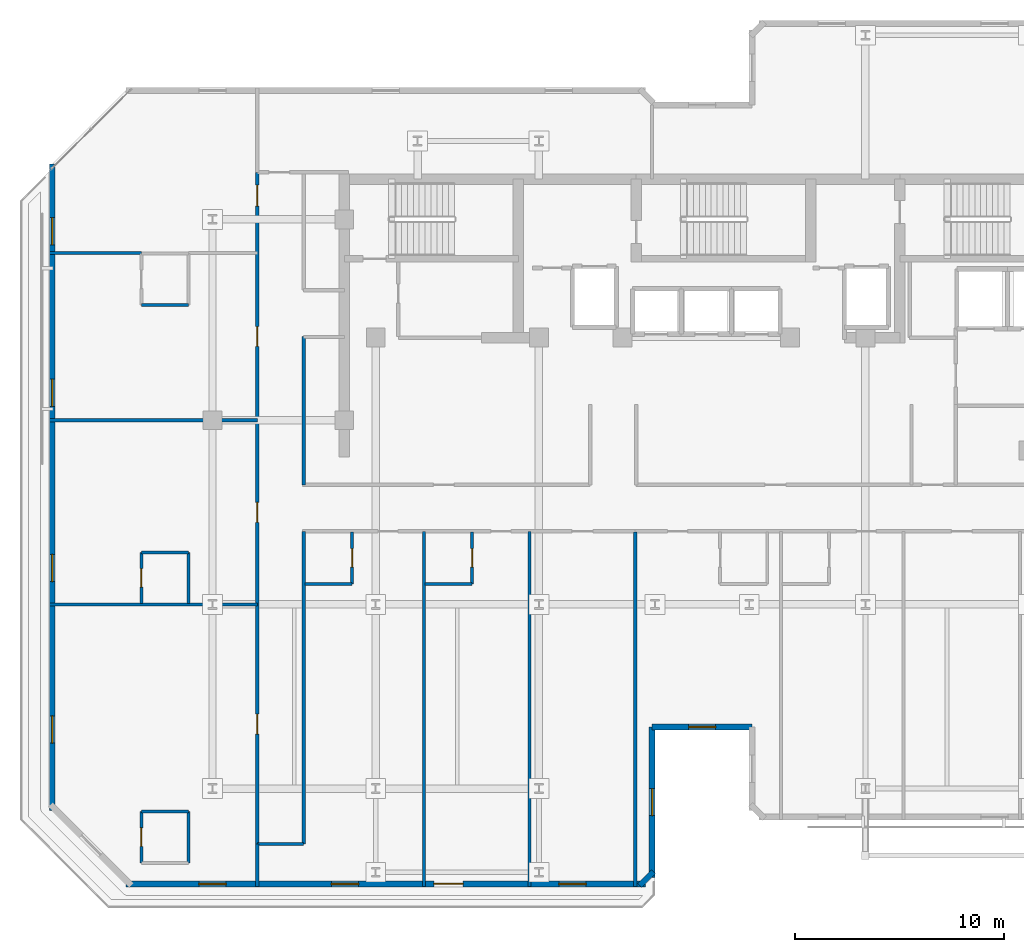
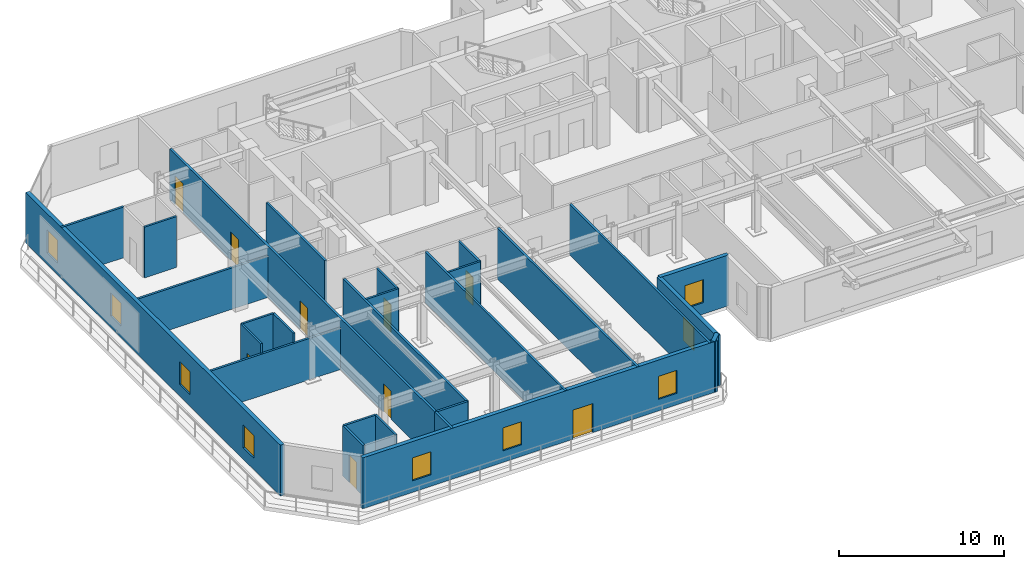
# One storey, part 4 of 13: 27 walls, 9 doors, 9 windows, 18 openings.
"""IFC4 building model written with IfcOpenShell, lengths in metres."""

from ifc_helpers import new_model, si_unit, direction, frame, frame_2d, origin, place, context, subcontext, project, spatial, rectangle, extrude, material, layer, layer_set, type_object, element, fill, save


model = new_model("IFC4")

# Units and contexts
model_context = context("Model", 3, precision=1e-05, world=origin(), true_north=direction((0.0, 1.0)))
body_context = subcontext(model_context, "Body", "Model", "MODEL_VIEW")
ifc_project = project(units=[si_unit("LENGTHUNIT", "METRE"), si_unit("AREAUNIT", "SQUARE_METRE"), si_unit("VOLUMEUNIT", "CUBIC_METRE"), si_unit("PLANEANGLEUNIT", "RADIAN"), si_unit("MASSUNIT", "GRAM", prefix="KILO")], contexts=[model_context])

# Site, building, storey
site_placement = place(None, origin())
site = spatial("IfcSite", under=ifc_project, at=site_placement, CompositionType="ELEMENT")
building_placement = place(site_placement, origin())
building = spatial("IfcBuilding", under=site, at=building_placement, Name="Kestravale Grand Hotel", CompositionType="ELEMENT")
storey_placement = place(building_placement, frame((0.0, 0.0, 245.39990234375)))
storey = spatial("IfcBuildingStorey", under=building, at=storey_placement, Name="L61", CompositionType="ELEMENT", Elevation=245.39990234375)

# Wall, openings, door, windows
ifc_material_1 = material(Name="Precast concrete f'c 45 MPa", Category="concrete")
ifc_layer_1 = layer(ifc_material_1, 0.280029296875)
ifc_layer_set_1 = layer_set([ifc_layer_1], Name="EW-PREC-280")
wall_type_1 = type_object("IfcWallType", Name="EW-PREC-280", PredefinedType="SOLIDWALL", material=ifc_layer_set_1)
wall_1_placement = place(storey_placement, frame((11.4599609375, 6.639892578125, 0.0), z_axis=(0.0, 0.0, 1.0), x_axis=(1.0, 0.0, 0.0)))
wall_1 = element("IfcWall", 1, at=wall_1_placement, inside=storey, type_object=wall_type_1, Name="L61 fluted precast facade wall 1", PredefinedType="SOLIDWALL", context=body_context, shape_type="SweptSolid", body=[
    extrude(rectangle(XDim=24.830078125, YDim=0.280029296875, at=frame_2d((12.4150390625, 0.0))), origin(), (0.0, 0.0, 1.0), 3.760009765625),
])
opening_1_placement = place(wall_1_placement, frame((14.715087890625, 0.0, 0.0)))
opening_1 = element("IfcOpeningElement", 2, at=opening_1_placement, cuts=wall_1, Name="Opening D-TERR-1400", PredefinedType="OPENING", context=body_context, shape_type="SweptSolid", body=[
    extrude(rectangle(XDim=1.39990234375, YDim=2.14990234375, at=frame_2d((0.699951171875, 1.074951171875))), frame((0.0, 0.14990234375, 0.0), z_axis=(0.0, -1.0, 0.0), x_axis=(1.0, 0.0, 0.0)), (0.0, 0.0, 1.0), 0.300048828125),
])
opening_2_placement = place(wall_1_placement, frame((3.48828125, 0.0, 0.85009765625)))
opening_2 = element("IfcOpeningElement", 3, at=opening_2_placement, cuts=wall_1, Name="Opening W-GUEST-1300", PredefinedType="OPENING", context=body_context, shape_type="SweptSolid", body=[
    extrude(rectangle(XDim=1.300048828125, YDim=1.699951171875, at=frame_2d((0.64990234375, 0.85009765625))), frame((0.0, 0.14990234375, 0.0), z_axis=(0.0, -1.0, 0.0), x_axis=(1.0, 0.0, 0.0)), (0.0, 0.0, 1.0), 0.300048828125),
])
opening_3_placement = place(wall_1_placement, frame((20.691650390625, 0.0, 0.85009765625)))
opening_3 = element("IfcOpeningElement", 4, at=opening_3_placement, cuts=wall_1, Name="Opening W-GUEST-1300", PredefinedType="OPENING", context=body_context, shape_type="SweptSolid", body=[
    extrude(rectangle(XDim=1.300048828125, YDim=1.699951171875, at=frame_2d((0.64990234375, 0.85009765625))), frame((0.0, 0.14990234375, 0.0), z_axis=(0.0, -1.0, 0.0), x_axis=(1.0, 0.0, 0.0)), (0.0, 0.0, 1.0), 0.300048828125),
])
opening_4_placement = place(wall_1_placement, frame((9.820068359375, 0.0, 0.85009765625)))
opening_4 = element("IfcOpeningElement", 5, at=opening_4_placement, cuts=wall_1, Name="Opening W-GUEST-1300", PredefinedType="OPENING", context=body_context, shape_type="SweptSolid", body=[
    extrude(rectangle(XDim=1.300048828125, YDim=1.699951171875, at=frame_2d((0.64990234375, 0.85009765625))), frame((0.0, 0.14990234375, 0.0), z_axis=(0.0, -1.0, 0.0), x_axis=(1.0, 0.0, 0.0)), (0.0, 0.0, 1.0), 0.300048828125),
])
ifc_material_2 = material(Name="Insulated glazed champagne-bronze aluminium door", Category="aluminium")
door_type_1 = type_object("IfcDoorType", Name="D-TERR-1400", OperationType="NOTDEFINED", PredefinedType="DOOR", material=ifc_material_2)
door_1_placement = place(opening_1_placement, origin())
door_1 = element("IfcDoor", 6, at=door_1_placement, inside=storey, type_object=door_type_1, Name="L61 outdoor garden terrace door", OperationType="DOUBLE_DOOR_SINGLE_SWING", OverallHeight=2.14990234375, OverallWidth=1.39990234375, PredefinedType="DOOR", context=body_context, shape_type="SweptSolid", body=[
    extrude(rectangle(XDim=1.39990234375, YDim=2.14990234375, at=frame_2d((0.699951171875, 1.074951171875))), frame((0.0, 0.02490234375, 0.0), z_axis=(0.0, -1.0, 0.0), x_axis=(1.0, 0.0, 0.0)), (0.0, 0.0, 1.0), 0.050048828125),
])
fill(opening_1, door_1)
ifc_material_3 = material(Name="Insulated low-E double glazing in aluminium frame", Category="aluminium")
window_type = type_object("IfcWindowType", Name="W-GUEST-1300", PartitioningType="SINGLE_PANEL", PredefinedType="WINDOW", material=ifc_material_3)
window_1_placement = place(opening_2_placement, origin())
window_1 = element("IfcWindow", 7, at=window_1_placement, inside=storey, type_object=window_type, Name="L61 exterior window 1.1", OverallHeight=1.699951171875, OverallWidth=1.300048828125, PartitioningType="SINGLE_PANEL", PredefinedType="WINDOW", context=body_context, shape_type="SweptSolid", body=[
    extrude(rectangle(XDim=1.300048828125, YDim=1.699951171875, at=frame_2d((0.64990234375, 0.85009765625))), frame((0.0, 0.030029296875, 0.0), z_axis=(0.0, -1.0, 0.0), x_axis=(1.0, 0.0, 0.0)), (0.0, 0.0, 1.0), 0.06005859375),
])
fill(opening_2, window_1)
window_2_placement = place(opening_3_placement, origin())
window_2 = element("IfcWindow", 8, at=window_2_placement, inside=storey, type_object=window_type, Name="L61 exterior window 1.2", OverallHeight=1.699951171875, OverallWidth=1.300048828125, PartitioningType="SINGLE_PANEL", PredefinedType="WINDOW", context=body_context, shape_type="SweptSolid", body=[
    extrude(rectangle(XDim=1.300048828125, YDim=1.699951171875, at=frame_2d((0.64990234375, 0.85009765625))), frame((0.0, 0.030029296875, 0.0), z_axis=(0.0, -1.0, 0.0), x_axis=(1.0, 0.0, 0.0)), (0.0, 0.0, 1.0), 0.06005859375),
])
fill(opening_3, window_2)
window_3_placement = place(opening_4_placement, origin())
window_3 = element("IfcWindow", 9, at=window_3_placement, inside=storey, type_object=window_type, Name="L61 guestroom envelope window 1", OverallHeight=1.699951171875, OverallWidth=1.300048828125, PartitioningType="SINGLE_PANEL", PredefinedType="WINDOW", context=body_context, shape_type="SweptSolid", body=[
    extrude(rectangle(XDim=1.300048828125, YDim=1.699951171875, at=frame_2d((0.64990234375, 0.85009765625))), frame((0.0, 0.030029296875, 0.0), z_axis=(0.0, -1.0, 0.0), x_axis=(1.0, 0.0, 0.0)), (0.0, 0.0, 1.0), 0.06005859375),
])
fill(opening_4, window_3)

# Wall
wall_2_placement = place(storey_placement, frame((36.022705078125, 6.57080078125, 0.0), z_axis=(0.0, 0.0, 1.0), x_axis=(0.707106781187, 0.707106781187, 0.0)))
element("IfcWall", 10, at=wall_2_placement, inside=storey, type_object=wall_type_1, Name="L61 fluted precast facade wall 2", PredefinedType="SOLIDWALL", context=body_context, shape_type="SweptSolid", body=[
    extrude(rectangle(XDim=0.928466796875, YDim=0.280029296875, at=frame_2d((0.46435546875, 0.0))), origin(), (0.0, 0.0, 1.0), 3.760009765625),
])

# Wall, opening, window
wall_3_placement = place(storey_placement, frame((36.610107421875, 6.9599609375, 0.0), z_axis=(0.0, 0.0, 1.0), x_axis=(0.0, 1.0, 0.0)))
wall_3 = element("IfcWall", 11, at=wall_3_placement, inside=storey, type_object=wall_type_1, Name="L61 fluted precast facade wall 3", PredefinedType="SOLIDWALL", context=body_context, shape_type="SweptSolid", body=[
    extrude(rectangle(XDim=7.179931640625, YDim=0.280029296875, at=frame_2d((3.58984375, 0.0))), origin(), (0.0, 0.0, 1.0), 3.760009765625),
])
opening_5_placement = place(wall_3_placement, frame((2.93994140625, 0.0, 0.85009765625)))
opening_5 = element("IfcOpeningElement", 12, at=opening_5_placement, cuts=wall_3, Name="Opening W-GUEST-1300", PredefinedType="OPENING", context=body_context, shape_type="SweptSolid", body=[
    extrude(rectangle(XDim=1.300048828125, YDim=1.699951171875, at=frame_2d((0.64990234375, 0.85009765625))), frame((0.0, 0.14990234375, 0.0), z_axis=(0.0, -1.0, 0.0), x_axis=(1.0, 0.0, 0.0)), (0.0, 0.0, 1.0), 0.300048828125),
])
window_4_placement = place(opening_5_placement, origin())
window_4 = element("IfcWindow", 13, at=window_4_placement, inside=storey, type_object=window_type, Name="L61 exterior window 3.1", OverallHeight=1.699951171875, OverallWidth=1.300048828125, PartitioningType="SINGLE_PANEL", PredefinedType="WINDOW", context=body_context, shape_type="SweptSolid", body=[
    extrude(rectangle(XDim=1.300048828125, YDim=1.699951171875, at=frame_2d((0.64990234375, 0.85009765625))), frame((0.0, 0.030029296875, 0.0), z_axis=(0.0, -1.0, 0.0), x_axis=(1.0, 0.0, 0.0)), (0.0, 0.0, 1.0), 0.06005859375),
])
fill(opening_5, window_4)

wall_4_placement = place(storey_placement, frame((36.610107421875, 14.139892578125, 0.0), z_axis=(0.0, 0.0, 1.0), x_axis=(1.0, 0.0, 0.0)))
wall_4 = element("IfcWall", 14, at=wall_4_placement, inside=storey, type_object=wall_type_1, Name="L61 fluted precast facade wall 4", PredefinedType="SOLIDWALL", context=body_context, shape_type="SweptSolid", body=[
    extrude(rectangle(XDim=4.77978515625, YDim=0.280029296875, at=frame_2d((2.389892578125, 0.0))), origin(), (0.0, 0.0, 1.0), 3.760009765625),
])
opening_6_placement = place(wall_4_placement, frame((1.739990234375, 0.0, 0.85009765625)))
opening_6 = element("IfcOpeningElement", 15, at=opening_6_placement, cuts=wall_4, Name="Opening W-GUEST-1300", PredefinedType="OPENING", context=body_context, shape_type="SweptSolid", body=[
    extrude(rectangle(XDim=1.300048828125, YDim=1.699951171875, at=frame_2d((0.64990234375, 0.85009765625))), frame((0.0, 0.14990234375, 0.0), z_axis=(0.0, -1.0, 0.0), x_axis=(1.0, 0.0, 0.0)), (0.0, 0.0, 1.0), 0.300048828125),
])
window_5_placement = place(opening_6_placement, origin())
window_5 = element("IfcWindow", 16, at=window_5_placement, inside=storey, type_object=window_type, Name="L61 exterior window 4.1", OverallHeight=1.699951171875, OverallWidth=1.300048828125, PartitioningType="SINGLE_PANEL", PredefinedType="WINDOW", context=body_context, shape_type="SweptSolid", body=[
    extrude(rectangle(XDim=1.300048828125, YDim=1.699951171875, at=frame_2d((0.64990234375, 0.85009765625))), frame((0.0, 0.030029296875, 0.0), z_axis=(0.0, -1.0, 0.0), x_axis=(1.0, 0.0, 0.0)), (0.0, 0.0, 1.0), 0.06005859375),
])
fill(opening_6, window_5)

# Wall, openings, windows
wall_5_placement = place(storey_placement, frame((7.93994140625, 41.0400390625, 0.0), z_axis=(0.0, 0.0, 1.0), x_axis=(0.0, -1.0, 0.0)))
wall_5 = element("IfcWall", 17, at=wall_5_placement, inside=storey, type_object=wall_type_1, Name="L61 fluted precast facade wall 19", PredefinedType="SOLIDWALL", context=body_context, shape_type="SweptSolid", body=[
    extrude(rectangle(XDim=30.880126953125, YDim=0.280029296875, at=frame_2d((15.43994140625, 0.0))), origin(), (0.0, 0.0, 1.0), 3.760009765625),
])
opening_7_placement = place(wall_5_placement, frame((2.56005859375, 0.0, 0.85009765625)))
opening_7 = element("IfcOpeningElement", 18, at=opening_7_placement, cuts=wall_5, Name="Opening W-GUEST-1300", PredefinedType="OPENING", context=body_context, shape_type="SweptSolid", body=[
    extrude(rectangle(XDim=1.300048828125, YDim=1.699951171875, at=frame_2d((0.64990234375, 0.85009765625))), frame((0.0, 0.14990234375, 0.0), z_axis=(0.0, -1.0, 0.0), x_axis=(1.0, 0.0, 0.0)), (0.0, 0.0, 1.0), 0.300048828125),
])
opening_8_placement = place(wall_5_placement, frame((10.280029296875, 0.0, 0.85009765625)))
opening_8 = element("IfcOpeningElement", 19, at=opening_8_placement, cuts=wall_5, Name="Opening W-GUEST-1300", PredefinedType="OPENING", context=body_context, shape_type="SweptSolid", body=[
    extrude(rectangle(XDim=1.300048828125, YDim=1.699951171875, at=frame_2d((0.64990234375, 0.85009765625))), frame((0.0, 0.14990234375, 0.0), z_axis=(0.0, -1.0, 0.0), x_axis=(1.0, 0.0, 0.0)), (0.0, 0.0, 1.0), 0.300048828125),
])
opening_9_placement = place(wall_5_placement, frame((18.64990234375, 0.0, 0.85009765625)))
opening_9 = element("IfcOpeningElement", 20, at=opening_9_placement, cuts=wall_5, Name="Opening W-GUEST-1300", PredefinedType="OPENING", context=body_context, shape_type="SweptSolid", body=[
    extrude(rectangle(XDim=1.300048828125, YDim=1.699951171875, at=frame_2d((0.64990234375, 0.85009765625))), frame((0.0, 0.14990234375, 0.0), z_axis=(0.0, -1.0, 0.0), x_axis=(1.0, 0.0, 0.0)), (0.0, 0.0, 1.0), 0.300048828125),
])
opening_10_placement = place(wall_5_placement, frame((26.3701171875, 0.0, 0.85009765625)))
opening_10 = element("IfcOpeningElement", 21, at=opening_10_placement, cuts=wall_5, Name="Opening W-GUEST-1300", PredefinedType="OPENING", context=body_context, shape_type="SweptSolid", body=[
    extrude(rectangle(XDim=1.300048828125, YDim=1.699951171875, at=frame_2d((0.64990234375, 0.85009765625))), frame((0.0, 0.14990234375, 0.0), z_axis=(0.0, -1.0, 0.0), x_axis=(1.0, 0.0, 0.0)), (0.0, 0.0, 1.0), 0.300048828125),
])
window_6_placement = place(opening_7_placement, origin())
window_6 = element("IfcWindow", 22, at=window_6_placement, inside=storey, type_object=window_type, Name="L61 exterior window 19.1", OverallHeight=1.699951171875, OverallWidth=1.300048828125, PartitioningType="SINGLE_PANEL", PredefinedType="WINDOW", context=body_context, shape_type="SweptSolid", body=[
    extrude(rectangle(XDim=1.300048828125, YDim=1.699951171875, at=frame_2d((0.64990234375, 0.85009765625))), frame((0.0, 0.030029296875, 0.0), z_axis=(0.0, -1.0, 0.0), x_axis=(1.0, 0.0, 0.0)), (0.0, 0.0, 1.0), 0.06005859375),
])
fill(opening_7, window_6)
window_7_placement = place(opening_8_placement, origin())
window_7 = element("IfcWindow", 23, at=window_7_placement, inside=storey, type_object=window_type, Name="L61 exterior window 19.2", OverallHeight=1.699951171875, OverallWidth=1.300048828125, PartitioningType="SINGLE_PANEL", PredefinedType="WINDOW", context=body_context, shape_type="SweptSolid", body=[
    extrude(rectangle(XDim=1.300048828125, YDim=1.699951171875, at=frame_2d((0.64990234375, 0.85009765625))), frame((0.0, 0.030029296875, 0.0), z_axis=(0.0, -1.0, 0.0), x_axis=(1.0, 0.0, 0.0)), (0.0, 0.0, 1.0), 0.06005859375),
])
fill(opening_8, window_7)
window_8_placement = place(opening_9_placement, origin())
window_8 = element("IfcWindow", 24, at=window_8_placement, inside=storey, type_object=window_type, Name="L61 exterior window 19.3", OverallHeight=1.699951171875, OverallWidth=1.300048828125, PartitioningType="SINGLE_PANEL", PredefinedType="WINDOW", context=body_context, shape_type="SweptSolid", body=[
    extrude(rectangle(XDim=1.300048828125, YDim=1.699951171875, at=frame_2d((0.64990234375, 0.85009765625))), frame((0.0, 0.030029296875, 0.0), z_axis=(0.0, -1.0, 0.0), x_axis=(1.0, 0.0, 0.0)), (0.0, 0.0, 1.0), 0.06005859375),
])
fill(opening_9, window_8)
window_9_placement = place(opening_10_placement, origin())
window_9 = element("IfcWindow", 25, at=window_9_placement, inside=storey, type_object=window_type, Name="L61 exterior window 19.4", OverallHeight=1.699951171875, OverallWidth=1.300048828125, PartitioningType="SINGLE_PANEL", PredefinedType="WINDOW", context=body_context, shape_type="SweptSolid", body=[
    extrude(rectangle(XDim=1.300048828125, YDim=1.699951171875, at=frame_2d((0.64990234375, 0.85009765625))), frame((0.0, 0.030029296875, 0.0), z_axis=(0.0, -1.0, 0.0), x_axis=(1.0, 0.0, 0.0)), (0.0, 0.0, 1.0), 0.06005859375),
])
fill(opening_10, window_9)

# Wall, openings, doors
ifc_material_4 = material(Name="Acoustic fire-rated gypsum board partition", Category="other")
ifc_layer_2 = layer(ifc_material_4, 0.159912109375)
ifc_layer_set_2 = layer_set([ifc_layer_2], Name="IW-CORR-160")
wall_type_2 = type_object("IfcWallType", Name="IW-CORR-160", PredefinedType="PARTITIONING", material=ifc_layer_set_2)
wall_6_placement = place(storey_placement, frame((17.739990234375, 8.550048828125, 0.0), z_axis=(0.0, 0.0, 1.0), x_axis=(0.0, 1.0, 0.0)))
wall_6 = element("IfcWall", 26, at=wall_6_placement, inside=storey, type_object=wall_type_2, Name="W-L61-SW-W", PredefinedType="PARTITIONING", context=body_context, shape_type="SweptSolid", body=[
    extrude(rectangle(XDim=32.099853515625, YDim=0.159912109375, at=frame_2d((16.0498046875, 0.0))), origin(), (0.0, 0.0, 1.0), 3.760009765625),
])
opening_11_placement = place(wall_6_placement, frame((5.25, 0.0, 0.0)))
opening_11 = element("IfcOpeningElement", 27, at=opening_11_placement, cuts=wall_6, Name="Opening D-GUEST-950", PredefinedType="OPENING", context=body_context, shape_type="SweptSolid", body=[
    extrude(rectangle(XDim=0.949951171875, YDim=2.10009765625, at=frame_2d((0.47509765625, 1.050048828125))), frame((0.0, 0.08984375, 0.0), z_axis=(0.0, -1.0, 0.0), x_axis=(1.0, 0.0, 0.0)), (0.0, 0.0, 1.0), 0.179931640625),
])
opening_12_placement = place(wall_6_placement, frame((15.375, 0.0, 0.0)))
opening_12 = element("IfcOpeningElement", 28, at=opening_12_placement, cuts=wall_6, Name="Opening D-GUEST-950", PredefinedType="OPENING", context=body_context, shape_type="SweptSolid", body=[
    extrude(rectangle(XDim=0.949951171875, YDim=2.10009765625, at=frame_2d((0.47509765625, 1.050048828125))), frame((0.0, 0.08984375, 0.0), z_axis=(0.0, -1.0, 0.0), x_axis=(1.0, 0.0, 0.0)), (0.0, 0.0, 1.0), 0.179931640625),
])
opening_13_placement = place(wall_6_placement, frame((23.77490234375, 0.0, 0.0)))
opening_13 = element("IfcOpeningElement", 29, at=opening_13_placement, cuts=wall_6, Name="Opening D-GUEST-950", PredefinedType="OPENING", context=body_context, shape_type="SweptSolid", body=[
    extrude(rectangle(XDim=0.949951171875, YDim=2.10009765625, at=frame_2d((0.47509765625, 1.050048828125))), frame((0.0, 0.08984375, 0.0), z_axis=(0.0, -1.0, 0.0), x_axis=(1.0, 0.0, 0.0)), (0.0, 0.0, 1.0), 0.179931640625),
])
opening_14_placement = place(wall_6_placement, frame((30.485595703125, 0.0, 0.0)))
opening_14 = element("IfcOpeningElement", 30, at=opening_14_placement, cuts=wall_6, Name="Opening D-GUEST-1000", PredefinedType="OPENING", context=body_context, shape_type="SweptSolid", body=[
    extrude(rectangle(XDim=1.0, YDim=2.14990234375, at=frame_2d((0.5, 1.074951171875))), frame((0.0, 0.08984375, 0.0), z_axis=(0.0, -1.0, 0.0), x_axis=(1.0, 0.0, 0.0)), (0.0, 0.0, 1.0), 0.179931640625),
])
ifc_material_5 = material(Name="Accessible walnut veneer hotel entrance fire door", Category="wood")
door_type_2 = type_object("IfcDoorType", Name="D-GUEST-1000", OperationType="NOTDEFINED", PredefinedType="DOOR", material=ifc_material_5)
door_2_placement = place(opening_14_placement, origin())
door_2 = element("IfcDoor", 31, at=door_2_placement, inside=storey, type_object=door_type_2, Name="D-L61-AMWW", OperationType="SINGLE_SWING_LEFT", OverallHeight=2.14990234375, OverallWidth=1.0, PredefinedType="DOOR", context=body_context, shape_type="SweptSolid", body=[
    extrude(rectangle(XDim=1.0, YDim=2.14990234375, at=frame_2d((0.5, 1.074951171875))), frame((0.0, 0.02490234375, 0.0), z_axis=(0.0, -1.0, 0.0), x_axis=(1.0, 0.0, 0.0)), (0.0, 0.0, 1.0), 0.050048828125),
])
fill(opening_14, door_2)
ifc_material_6 = material(Name="Walnut veneer hotel guestroom entrance fire door", Category="wood")
door_type_3 = type_object("IfcDoorType", Name="D-GUEST-950", OperationType="NOTDEFINED", PredefinedType="DOOR", material=ifc_material_6)
door_3_placement = place(opening_11_placement, origin())
door_3 = element("IfcDoor", 32, at=door_3_placement, inside=storey, type_object=door_type_3, Name="D-L61-U06-ENT", OperationType="SINGLE_SWING_RIGHT", OverallHeight=2.10009765625, OverallWidth=0.949951171875, PredefinedType="DOOR", context=body_context, shape_type="SweptSolid", body=[
    extrude(rectangle(XDim=0.949951171875, YDim=2.10009765625, at=frame_2d((0.47509765625, 1.050048828125))), frame((0.0, 0.02490234375, 0.0), z_axis=(0.0, -1.0, 0.0), x_axis=(1.0, 0.0, 0.0)), (0.0, 0.0, 1.0), 0.050048828125),
])
fill(opening_11, door_3)
door_4_placement = place(opening_12_placement, origin())
door_4 = element("IfcDoor", 33, at=door_4_placement, inside=storey, type_object=door_type_3, Name="D-L61-U07-ENT", OperationType="SINGLE_SWING_RIGHT", OverallHeight=2.10009765625, OverallWidth=0.949951171875, PredefinedType="DOOR", context=body_context, shape_type="SweptSolid", body=[
    extrude(rectangle(XDim=0.949951171875, YDim=2.10009765625, at=frame_2d((0.47509765625, 1.050048828125))), frame((0.0, 0.02490234375, 0.0), z_axis=(0.0, -1.0, 0.0), x_axis=(1.0, 0.0, 0.0)), (0.0, 0.0, 1.0), 0.050048828125),
])
fill(opening_12, door_4)
door_5_placement = place(opening_13_placement, origin())
door_5 = element("IfcDoor", 34, at=door_5_placement, inside=storey, type_object=door_type_3, Name="D-L61-U08-ENT", OperationType="SINGLE_SWING_RIGHT", OverallHeight=2.10009765625, OverallWidth=0.949951171875, PredefinedType="DOOR", context=body_context, shape_type="SweptSolid", body=[
    extrude(rectangle(XDim=0.949951171875, YDim=2.10009765625, at=frame_2d((0.47509765625, 1.050048828125))), frame((0.0, 0.02490234375, 0.0), z_axis=(0.0, -1.0, 0.0), x_axis=(1.0, 0.0, 0.0)), (0.0, 0.0, 1.0), 0.050048828125),
])
fill(opening_13, door_5)

# Wall
wall_7_placement = place(storey_placement, frame((19.9599609375, 8.550048828125, 0.0), z_axis=(0.0, 0.0, 1.0), x_axis=(0.0, 1.0, 0.0)))
element("IfcWall", 35, at=wall_7_placement, inside=storey, type_object=wall_type_2, Name="W-L61-SW-E", PredefinedType="PARTITIONING", context=body_context, shape_type="SweptSolid", body=[
    extrude(rectangle(XDim=14.93994140625, YDim=0.159912109375, at=frame_2d((7.469970703125, 0.0))), origin(), (0.0, 0.0, 1.0), 3.760009765625),
])

# Wall, opening, door
ifc_material_7 = material(Name="Moisture-resistant tile-backer plumbing chase wall", Category="other")
ifc_layer_3 = layer(ifc_material_7, 0.139892578125)
ifc_layer_set_3 = layer_set([ifc_layer_3], Name="IW-PLB-140")
wall_type_3 = type_object("IfcWallType", Name="IW-PLB-140", PredefinedType="PLUMBINGWALL", material=ifc_layer_set_3)
wall_8_placement = place(storey_placement, frame((22.27001953125, 20.97998046875, 0.0), z_axis=(0.0, 0.0, 1.0), x_axis=(0.0, 1.0, 0.0)))
wall_8 = element("IfcWall", 36, at=wall_8_placement, inside=storey, type_object=wall_type_3, Name="W-L61-U01-BE", PredefinedType="PLUMBINGWALL", context=body_context, shape_type="SweptSolid", body=[
    extrude(rectangle(XDim=2.489990234375, YDim=0.139892578125, at=frame_2d((1.2451171875, 0.0))), origin(), (0.0, 0.0, 1.0), 3.760009765625),
])
opening_15_placement = place(wall_8_placement, frame((0.804931640625, 0.0, 0.0)))
opening_15 = element("IfcOpeningElement", 37, at=opening_15_placement, cuts=wall_8, Name="Opening D-BATH-880", PredefinedType="OPENING", context=body_context, shape_type="SweptSolid", body=[
    extrude(rectangle(XDim=0.8798828125, YDim=2.050048828125, at=frame_2d((0.43994140625, 1.02490234375))), frame((0.0, 0.079833984375, 0.0), z_axis=(0.0, -1.0, 0.0), x_axis=(1.0, 0.0, 0.0)), (0.0, 0.0, 1.0), 0.159912109375),
])
ifc_material_8 = material(Name="Moisture-sealed walnut en-suite bathroom door", Category="wood")
door_type_4 = type_object("IfcDoorType", Name="D-BATH-880", OperationType="NOTDEFINED", PredefinedType="DOOR", material=ifc_material_8)
door_6_placement = place(opening_15_placement, origin())
door_6 = element("IfcDoor", 38, at=door_6_placement, inside=storey, type_object=door_type_4, Name="D-L61-U01-BATH", OperationType="SINGLE_SWING_LEFT", OverallHeight=2.050048828125, OverallWidth=0.8798828125, PredefinedType="DOOR", context=body_context, shape_type="SweptSolid", body=[
    extrude(rectangle(XDim=0.8798828125, YDim=2.050048828125, at=frame_2d((0.43994140625, 1.02490234375))), frame((0.0, 0.02490234375, 0.0), z_axis=(0.0, -1.0, 0.0), x_axis=(1.0, 0.0, 0.0)), (0.0, 0.0, 1.0), 0.050048828125),
])
fill(opening_15, door_6)

# Wall
wall_9_placement = place(storey_placement, frame((20.02001953125, 20.97998046875, 0.0), z_axis=(0.0, 0.0, 1.0), x_axis=(1.0, 0.0, 0.0)))
element("IfcWall", 39, at=wall_9_placement, inside=storey, type_object=wall_type_3, Name="W-L61-U01-BS", PredefinedType="PLUMBINGWALL", context=body_context, shape_type="SweptSolid", body=[
    extrude(rectangle(XDim=2.25, YDim=0.139892578125, at=frame_2d((1.125, 0.0))), origin(), (0.0, 0.0, 1.0), 3.760009765625),
])

# Wall, opening, door
wall_10_placement = place(storey_placement, frame((28.010009765625, 20.97998046875, 0.0), z_axis=(0.0, 0.0, 1.0), x_axis=(0.0, 1.0, 0.0)))
wall_10 = element("IfcWall", 40, at=wall_10_placement, inside=storey, type_object=wall_type_3, Name="W-L61-U02-BE", PredefinedType="PLUMBINGWALL", context=body_context, shape_type="SweptSolid", body=[
    extrude(rectangle(XDim=2.489990234375, YDim=0.139892578125, at=frame_2d((1.2451171875, 0.0))), origin(), (0.0, 0.0, 1.0), 3.760009765625),
])
opening_16_placement = place(wall_10_placement, frame((0.804931640625, 0.0, 0.0)))
opening_16 = element("IfcOpeningElement", 41, at=opening_16_placement, cuts=wall_10, Name="Opening D-BATH-880", PredefinedType="OPENING", context=body_context, shape_type="SweptSolid", body=[
    extrude(rectangle(XDim=0.8798828125, YDim=2.050048828125, at=frame_2d((0.43994140625, 1.02490234375))), frame((0.0, 0.079833984375, 0.0), z_axis=(0.0, -1.0, 0.0), x_axis=(1.0, 0.0, 0.0)), (0.0, 0.0, 1.0), 0.159912109375),
])
door_7_placement = place(opening_16_placement, origin())
door_7 = element("IfcDoor", 42, at=door_7_placement, inside=storey, type_object=door_type_4, Name="D-L61-U02-BATH", OperationType="SINGLE_SWING_LEFT", OverallHeight=2.050048828125, OverallWidth=0.8798828125, PredefinedType="DOOR", context=body_context, shape_type="SweptSolid", body=[
    extrude(rectangle(XDim=0.8798828125, YDim=2.050048828125, at=frame_2d((0.43994140625, 1.02490234375))), frame((0.0, 0.02490234375, 0.0), z_axis=(0.0, -1.0, 0.0), x_axis=(1.0, 0.0, 0.0)), (0.0, 0.0, 1.0), 0.050048828125),
])
fill(opening_16, door_7)

# Wall
wall_11_placement = place(storey_placement, frame((25.760009765625, 20.97998046875, 0.0), z_axis=(0.0, 0.0, 1.0), x_axis=(1.0, 0.0, 0.0)))
element("IfcWall", 43, at=wall_11_placement, inside=storey, type_object=wall_type_3, Name="W-L61-U02-BS", PredefinedType="PLUMBINGWALL", context=body_context, shape_type="SweptSolid", body=[
    extrude(rectangle(XDim=2.25, YDim=0.139892578125, at=frame_2d((1.125, 0.0))), origin(), (0.0, 0.0, 1.0), 3.760009765625),
])

# Wall, opening, door
wall_12_placement = place(storey_placement, frame((12.199951171875, 7.64990234375, 0.0), z_axis=(0.0, 0.0, 1.0), x_axis=(0.0, 1.0, 0.0)))
wall_12 = element("IfcWall", 44, at=wall_12_placement, inside=storey, type_object=wall_type_3, Name="W-L61-U06-BW", PredefinedType="PLUMBINGWALL", context=body_context, shape_type="SweptSolid", body=[
    extrude(rectangle(XDim=2.4501953125, YDim=0.139892578125, at=frame_2d((1.22509765625, 0.0))), origin(), (0.0, 0.0, 1.0), 3.760009765625),
])
opening_17_placement = place(wall_12_placement, frame((0.784912109375, 0.0, 0.0)))
opening_17 = element("IfcOpeningElement", 45, at=opening_17_placement, cuts=wall_12, Name="Opening D-BATH-880", PredefinedType="OPENING", context=body_context, shape_type="SweptSolid", body=[
    extrude(rectangle(XDim=0.8798828125, YDim=2.050048828125, at=frame_2d((0.43994140625, 1.02490234375))), frame((0.0, 0.079833984375, 0.0), z_axis=(0.0, -1.0, 0.0), x_axis=(1.0, 0.0, 0.0)), (0.0, 0.0, 1.0), 0.159912109375),
])
door_8_placement = place(opening_17_placement, origin())
door_8 = element("IfcDoor", 46, at=door_8_placement, inside=storey, type_object=door_type_4, Name="D-L61-U06-BATH", OperationType="SINGLE_SWING_LEFT", OverallHeight=2.050048828125, OverallWidth=0.8798828125, PredefinedType="DOOR", context=body_context, shape_type="SweptSolid", body=[
    extrude(rectangle(XDim=0.8798828125, YDim=2.050048828125, at=frame_2d((0.43994140625, 1.02490234375))), frame((0.0, 0.02490234375, 0.0), z_axis=(0.0, -1.0, 0.0), x_axis=(1.0, 0.0, 0.0)), (0.0, 0.0, 1.0), 0.050048828125),
])
fill(opening_17, door_8)

# Walls
wall_13_placement = place(storey_placement, frame((14.449951171875, 7.64990234375, 0.0), z_axis=(0.0, 0.0, 1.0), x_axis=(0.0, 1.0, 0.0)))
element("IfcWall", 47, at=wall_13_placement, inside=storey, type_object=wall_type_3, Name="W-L61-U06-BE", PredefinedType="PLUMBINGWALL", context=body_context, shape_type="SweptSolid", body=[
    extrude(rectangle(XDim=2.4501953125, YDim=0.139892578125, at=frame_2d((1.22509765625, 0.0))), origin(), (0.0, 0.0, 1.0), 3.760009765625),
])
wall_14_placement = place(storey_placement, frame((12.199951171875, 10.10009765625, 0.0), z_axis=(0.0, 0.0, 1.0), x_axis=(1.0, 0.0, 0.0)))
element("IfcWall", 48, at=wall_14_placement, inside=storey, type_object=wall_type_3, Name="W-L61-U06-BN", PredefinedType="PLUMBINGWALL", context=body_context, shape_type="SweptSolid", body=[
    extrude(rectangle(XDim=2.25, YDim=0.139892578125, at=frame_2d((1.125, 0.0))), origin(), (0.0, 0.0, 1.0), 3.760009765625),
])

# Wall, opening, door
wall_15_placement = place(storey_placement, frame((12.199951171875, 20.0400390625, 0.0), z_axis=(0.0, 0.0, 1.0), x_axis=(0.0, 1.0, 0.0)))
wall_15 = element("IfcWall", 49, at=wall_15_placement, inside=storey, type_object=wall_type_3, Name="W-L61-U07-BW", PredefinedType="PLUMBINGWALL", context=body_context, shape_type="SweptSolid", body=[
    extrude(rectangle(XDim=2.449951171875, YDim=0.139892578125, at=frame_2d((1.22509765625, 0.0))), origin(), (0.0, 0.0, 1.0), 3.760009765625),
])
opening_18_placement = place(wall_15_placement, frame((0.784912109375, 0.0, 0.0)))
opening_18 = element("IfcOpeningElement", 50, at=opening_18_placement, cuts=wall_15, Name="Opening D-BATH-880", PredefinedType="OPENING", context=body_context, shape_type="SweptSolid", body=[
    extrude(rectangle(XDim=0.8798828125, YDim=2.050048828125, at=frame_2d((0.43994140625, 1.02490234375))), frame((0.0, 0.079833984375, 0.0), z_axis=(0.0, -1.0, 0.0), x_axis=(1.0, 0.0, 0.0)), (0.0, 0.0, 1.0), 0.159912109375),
])
door_9_placement = place(opening_18_placement, origin())
door_9 = element("IfcDoor", 51, at=door_9_placement, inside=storey, type_object=door_type_4, Name="D-L61-U07-BATH", OperationType="SINGLE_SWING_LEFT", OverallHeight=2.050048828125, OverallWidth=0.8798828125, PredefinedType="DOOR", context=body_context, shape_type="SweptSolid", body=[
    extrude(rectangle(XDim=0.8798828125, YDim=2.050048828125, at=frame_2d((0.43994140625, 1.02490234375))), frame((0.0, 0.02490234375, 0.0), z_axis=(0.0, -1.0, 0.0), x_axis=(1.0, 0.0, 0.0)), (0.0, 0.0, 1.0), 0.050048828125),
])
fill(opening_18, door_9)

# Walls
wall_16_placement = place(storey_placement, frame((14.449951171875, 20.0400390625, 0.0), z_axis=(0.0, 0.0, 1.0), x_axis=(0.0, 1.0, 0.0)))
element("IfcWall", 52, at=wall_16_placement, inside=storey, type_object=wall_type_3, Name="W-L61-U07-BE", PredefinedType="PLUMBINGWALL", context=body_context, shape_type="SweptSolid", body=[
    extrude(rectangle(XDim=2.449951171875, YDim=0.139892578125, at=frame_2d((1.22509765625, 0.0))), origin(), (0.0, 0.0, 1.0), 3.760009765625),
])
for number, where, z_axis, x_axis, name in (
    (53, (12.199951171875, 22.489990234375, 0.0), (0.0, 0.0, 1.0), (1.0, 0.0, 0.0), "W-L61-U07-BN"),
    (54, (12.199951171875, 34.31005859375, 0.0), (0.0, 0.0, 1.0), (1.0, 0.0, 0.0), "W-L61-U08-BS"),
):
    element("IfcWall", number, at=place(storey_placement, frame(where, z_axis=z_axis, x_axis=x_axis)), inside=storey, type_object=wall_type_3, Name=name, PredefinedType="PLUMBINGWALL", context=body_context, shape_type="SweptSolid", body=[
        extrude(rectangle(XDim=2.25, YDim=0.139892578125, at=frame_2d((1.125, 0.0))), origin(), (0.0, 0.0, 1.0), 3.760009765625),
    ])
ifc_material_9 = material(Name="Double-stud STC 52 acoustic demising partition", Category="other")
ifc_layer_4 = layer(ifc_material_9, 0.14990234375)
ifc_layer_set_4 = layer_set([ifc_layer_4], Name="IW-UNIT-150")
wall_type_4 = type_object("IfcWallType", Name="IW-UNIT-150", PredefinedType="PARTITIONING", material=ifc_layer_set_4)
wall_17_placement = place(storey_placement, frame((17.739990234375, 8.550048828125, 0.0), z_axis=(0.0, 0.0, 1.0), x_axis=(1.0, 0.0, 0.0)))
element("IfcWall", 55, at=wall_17_placement, inside=storey, type_object=wall_type_4, Name="W-L61-SW-S", PredefinedType="PARTITIONING", context=body_context, shape_type="SweptSolid", body=[
    extrude(rectangle(XDim=2.219970703125, YDim=0.14990234375, at=frame_2d((1.10986328125, 0.0))), origin(), (0.0, 0.0, 1.0), 3.760009765625),
])
wall_18_placement = place(storey_placement, frame((19.9599609375, 25.7099609375, 0.0), z_axis=(0.0, 0.0, 1.0), x_axis=(0.0, 1.0, 0.0)))
element("IfcWall", 56, at=wall_18_placement, inside=storey, type_object=wall_type_4, Name="W-L61-RCLW-W", PredefinedType="PARTITIONING", context=body_context, shape_type="SweptSolid", body=[
    extrude(rectangle(XDim=7.090087890625, YDim=0.14990234375, at=frame_2d((3.544921875, 0.0))), origin(), (0.0, 0.0, 1.0), 3.760009765625),
])
for number, where, z_axis, x_axis, name in (
    (57, (25.699951171875, 6.52001953125, 0.0), (0.0, 0.0, 1.0), (0.0, 1.0, 0.0), "W-L61-WS-1"),
    (58, (30.75, 6.52001953125, 0.0), (0.0, 0.0, 1.0), (0.0, 1.0, 0.0), "W-L61-WS-2"),
):
    element("IfcWall", number, at=place(storey_placement, frame(where, z_axis=z_axis, x_axis=x_axis)), inside=storey, type_object=wall_type_4, Name=name, PredefinedType="PARTITIONING", context=body_context, shape_type="SweptSolid", body=[
        extrude(rectangle(XDim=16.969970703125, YDim=0.14990234375, at=frame_2d((8.48486328125, 0.0))), origin(), (0.0, 0.0, 1.0), 3.760009765625),
    ])
wall_19_placement = place(storey_placement, frame((35.800048828125, 6.52001953125, 0.0), z_axis=(0.0, 0.0, 1.0), x_axis=(0.0, 1.0, 0.0)))
element("IfcWall", 59, at=wall_19_placement, inside=storey, type_object=wall_type_4, Name="W-L61-MID-S", PredefinedType="PARTITIONING", context=body_context, shape_type="SweptSolid", body=[
    extrude(rectangle(XDim=16.949951171875, YDim=0.14990234375, at=frame_2d((8.47509765625, 0.0))), origin(), (0.0, 0.0, 1.0), 3.760009765625),
])
wall_20_placement = place(storey_placement, frame((17.739990234375, 6.52001953125, 0.0), z_axis=(0.0, 0.0, 1.0), x_axis=(0.0, 1.0, 0.0)))
element("IfcWall", 60, at=wall_20_placement, inside=storey, type_object=wall_type_4, Name="W-L61-SW-EXT", PredefinedType="PARTITIONING", context=body_context, shape_type="SweptSolid", body=[
    extrude(rectangle(XDim=2.030029296875, YDim=0.14990234375, at=frame_2d((1.01513671875, 0.0))), origin(), (0.0, 0.0, 1.0), 3.760009765625),
])
for number, where, z_axis, x_axis, name in (
    (61, (7.820068359375, 20.0, 0.0), (0.0, 0.0, 1.0), (1.0, 0.0, 0.0), "W-L61-WW-1"),
    (62, (7.820068359375, 28.800048828125, 0.0), (0.0, 0.0, 1.0), (1.0, 0.0, 0.0), "W-L61-WW-2"),
):
    element("IfcWall", number, at=place(storey_placement, frame(where, z_axis=z_axis, x_axis=x_axis)), inside=storey, type_object=wall_type_4, Name=name, PredefinedType="PARTITIONING", context=body_context, shape_type="SweptSolid", body=[
        extrude(rectangle(XDim=9.919921875, YDim=0.14990234375, at=frame_2d((4.9599609375, 0.0))), origin(), (0.0, 0.0, 1.0), 3.064208984375),
    ])
wall_21_placement = place(storey_placement, frame((7.820068359375, 36.800048828125, 0.0), z_axis=(0.0, 0.0, 1.0), x_axis=(1.0, 0.0, 0.0)))
element("IfcWall", 63, at=wall_21_placement, inside=storey, type_object=wall_type_4, Name="W-L61-WW-3", PredefinedType="PARTITIONING", context=body_context, shape_type="SweptSolid", body=[
    extrude(rectangle(XDim=4.3798828125, YDim=0.14990234375, at=frame_2d((2.18994140625, 0.0))), origin(), (0.0, 0.0, 1.0), 3.760009765625),
])

save(model, "model.ifc")
